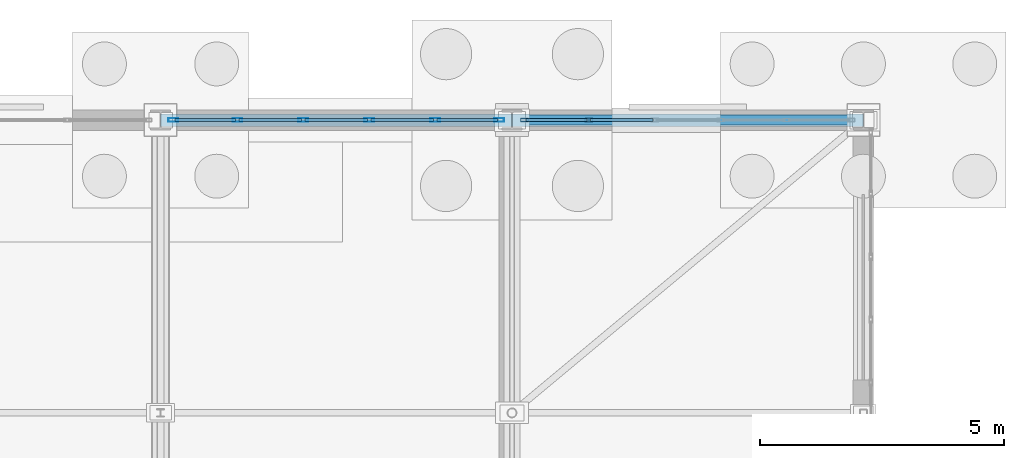
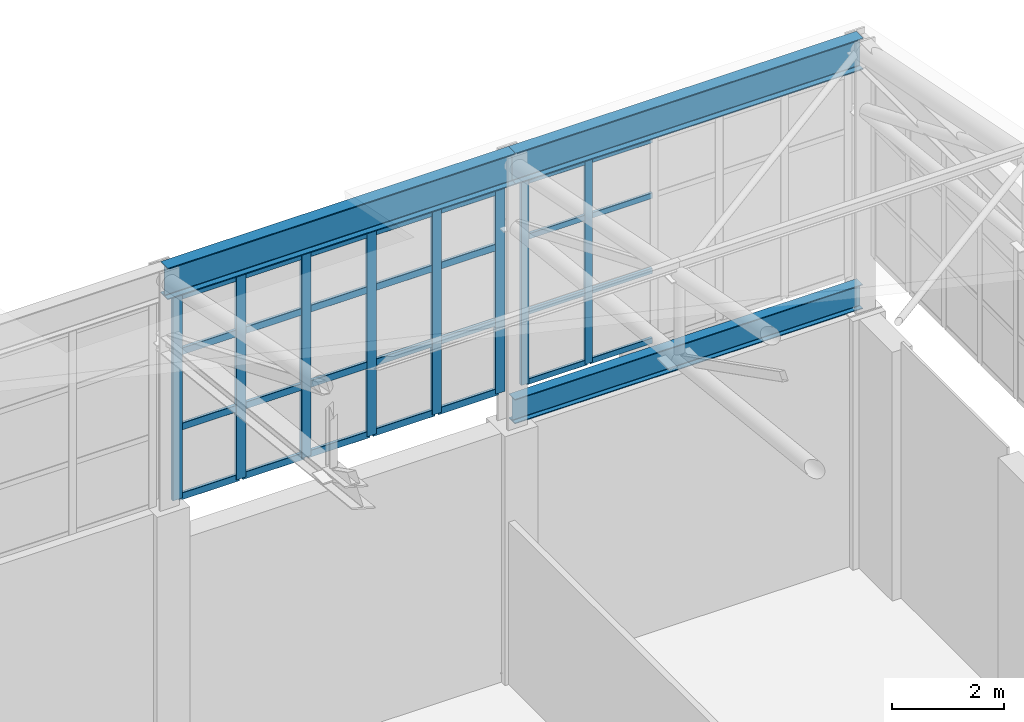
# One storey, part 230 of 293: 36 members, 3 beams, 2 elements without a shape of their own.
"""IFC4 building model written with IfcOpenShell, lengths in metres."""

from ifc_helpers import new_model, si_unit, direction, frame, origin, origin_2d, place, context, subcontext, project, spatial, hollow_rectangle, i_section, extrude, material, layer, layer_set, material_profile, profile_set, type_object, element, aggregate, save


model = new_model("IFC4")

# Units and contexts
model_context = context("Model", 3, precision=1e-05, world=origin(), true_north=direction((0.0, 1.0)))
body_context = subcontext(model_context, "Body", "Model", "MODEL_VIEW")
ifc_project = project(units=[si_unit("LENGTHUNIT", "METRE"), si_unit("AREAUNIT", "SQUARE_METRE"), si_unit("VOLUMEUNIT", "CUBIC_METRE"), si_unit("PLANEANGLEUNIT", "RADIAN"), si_unit("MASSUNIT", "GRAM", prefix="KILO")], contexts=[model_context])

# Site, building, storey
site_placement = place(None, origin())
site = spatial("IfcSite", under=ifc_project, at=site_placement, CompositionType="ELEMENT")
building_placement = place(site_placement, origin())
building = spatial("IfcBuilding", under=site, at=building_placement, Name="Kemerveld Promenade Tramway Depot", CompositionType="ELEMENT")
storey_placement = place(building_placement, origin())
storey = spatial("IfcBuildingStorey", under=building, at=storey_placement, Name="L00", CompositionType="ELEMENT", Elevation=0.0)

# Beams
ifc_material_1 = material(Name="Steel S355", Category="steel")
ifc_material_profile_1 = material_profile(ifc_material_1, i_section(OverallWidth=0.25439453125, OverallDepth=0.6875, WebThickness=0.01318359375, FlangeThickness=0.02099609375, FilletRadius=0.01513671875, at=origin_2d()), Name="686x254x152 UB")
ifc_profile_set_1 = profile_set([ifc_material_profile_1], Name="Steel S355")
beam_type_1 = type_object("IfcBeamType", Name="BM-G03", PredefinedType="BEAM", material=ifc_profile_set_1)
for number, where, z_axis, x_axis, name in (
    (1, (172.800048828125, 144.0, 11.056396484375), (1.0, 0.0, 0.0), (0.0, 1.0, 0.0), "BM-SHED-EAVE-U-25"),
    (2, (180.0, 144.0, 11.056396484375), (1.0, 0.0, 0.0), (0.0, 1.0, 0.0), "BM-SHED-EAVE-U-26"),
):
    element("IfcBeam", number, at=place(storey_placement, frame(where, z_axis=z_axis, x_axis=x_axis)), inside=storey, type_object=beam_type_1, Name=name, PredefinedType="BEAM", context=body_context, shape_type="SweptSolid", body=[
        extrude(i_section(OverallWidth=0.25439453125, OverallDepth=0.6875, WebThickness=0.01318359375, FlangeThickness=0.02099609375, FilletRadius=0.01513671875, at=origin_2d()), origin(), (0.0, 0.0, 1.0), 7.199951171875),
    ])
ifc_material_profile_2 = material_profile(ifc_material_1, i_section(OverallWidth=0.2099609375, OverallDepth=0.53662109375, WebThickness=0.0107421875, FlangeThickness=0.017333984375, FilletRadius=0.0126953125, at=origin_2d()), Name="533x210x101 UB")
ifc_profile_set_2 = profile_set([ifc_material_profile_2], Name="Steel S355")
beam_type_2 = type_object("IfcBeamType", Name="BM-G05", PredefinedType="BEAM", material=ifc_profile_set_2)
beam_placement = place(storey_placement, frame((180.0, 144.0, 5.731689453125), z_axis=(1.0, 0.0, 0.0), x_axis=(0.0, 1.0, 0.0)))
element("IfcBeam", 3, at=beam_placement, inside=storey, type_object=beam_type_2, Name="BM-SHED-MID-U-26", PredefinedType="BEAM", context=body_context, shape_type="SweptSolid", body=[
    extrude(i_section(OverallWidth=0.2099609375, OverallDepth=0.53662109375, WebThickness=0.0107421875, FlangeThickness=0.017333984375, FilletRadius=0.0126953125, at=origin_2d()), origin(), (0.0, 0.0, 1.0), 7.199951171875),
])

# Curtain wall, members
ifc_material_2 = material(Name="Bronze anodised aluminium and solar glass", Category="aluminium")
ifc_layer_1 = layer(ifc_material_2, 0.159912109375)
ifc_layer_set_1 = layer_set([ifc_layer_1], Name="CW-SYS-07")
curtain_wall_type_1 = type_object("IfcCurtainWallType", Name="CW-SYS-07", PredefinedType="USERDEFINED", material=ifc_layer_set_1)
curtain_wall_1_placement = place(storey_placement, origin())
curtain_wall_1 = element("IfcCurtainWall", 4, at=curtain_wall_1_placement, inside=storey, type_object=curtain_wall_type_1, Name="CW-V1-N-21", ObjectType="GLAZED_CURTAIN_WALL", PredefinedType="USERDEFINED")
ifc_material_3 = material(Name="Bronze anodised aluminium", Category="aluminium")
ifc_material_profile_3 = material_profile(ifc_material_3, hollow_rectangle(XDim=0.06494140625, YDim=0.159912109375, WallThickness=0.00390625, InnerFilletRadius=0.001953125, OuterFilletRadius=0.00390625, at=origin_2d()), Name="CW-MUL-160x65")
ifc_profile_set_3 = profile_set([ifc_material_profile_3], Name="Bronze anodised aluminium")
member_type_1 = type_object("IfcMemberType", Name="CW-MUL-A", PredefinedType="MULLION", material=ifc_profile_set_3)
member_1_placement = place(storey_placement, frame((180.255615234375, 144.0, 6.199951171875), z_axis=(0.0, 0.0, 1.0), x_axis=(0.0, 1.0, 0.0)))
member_1 = element("IfcMember", 5, at=member_1_placement, type_object=member_type_1, Name="CW07 mullion 1", PredefinedType="MULLION", context=body_context, shape_type="SweptSolid", body=[
    extrude(hollow_rectangle(XDim=0.06494140625, YDim=0.159912109375, WallThickness=0.00390625, InnerFilletRadius=0.001953125, OuterFilletRadius=0.00390625, at=origin_2d()), origin(), (0.0, 0.0, 1.0), 4.449951171875),
])
member_2_placement = place(storey_placement, frame((181.573974609375, 144.0, 6.199951171875), z_axis=(0.0, 0.0, 1.0), x_axis=(0.0, 1.0, 0.0)))
member_2 = element("IfcMember", 6, at=member_2_placement, type_object=member_type_1, Name="CW07 mullion 2", PredefinedType="MULLION", context=body_context, shape_type="SweptSolid", body=[
    extrude(hollow_rectangle(XDim=0.06494140625, YDim=0.159912109375, WallThickness=0.00390625, InnerFilletRadius=0.001953125, OuterFilletRadius=0.00390625, at=origin_2d()), origin(), (0.0, 0.0, 1.0), 4.449951171875),
])

ifc_layer_2 = layer(ifc_material_2, 0.199951171875)
ifc_layer_set_2 = layer_set([ifc_layer_2], Name="CW-SYS-06")
curtain_wall_type_2 = type_object("IfcCurtainWallType", Name="CW-SYS-06", PredefinedType="USERDEFINED", material=ifc_layer_set_2)
curtain_wall_2_placement = place(storey_placement, origin())
curtain_wall_2 = element("IfcCurtainWall", 7, at=curtain_wall_2_placement, inside=storey, type_object=curtain_wall_type_2, Name="CW-V1-N-20", ObjectType="GLAZED_CURTAIN_WALL", PredefinedType="USERDEFINED")
ifc_material_profile_4 = material_profile(ifc_material_3, hollow_rectangle(XDim=0.074951171875, YDim=0.199951171875, WallThickness=0.0048828125, InnerFilletRadius=0.001953125, OuterFilletRadius=0.0048828125, at=origin_2d()), Name="CW-MUL-200x75")
ifc_profile_set_4 = profile_set([ifc_material_profile_4], Name="Bronze anodised aluminium")
member_type_2 = type_object("IfcMemberType", Name="CW-MUL-B", PredefinedType="MULLION", material=ifc_profile_set_4)
member_3_placement = place(storey_placement, frame((173.060791015625, 144.0, 6.199951171875), z_axis=(0.0, 0.0, 1.0), x_axis=(0.0, 1.0, 0.0)))
member_3 = element("IfcMember", 8, at=member_3_placement, type_object=member_type_2, Name="CW06 mullion 1", PredefinedType="MULLION", context=body_context, shape_type="SweptSolid", body=[
    extrude(hollow_rectangle(XDim=0.074951171875, YDim=0.199951171875, WallThickness=0.0048828125, InnerFilletRadius=0.001953125, OuterFilletRadius=0.0048828125, at=origin_2d()), origin(), (0.0, 0.0, 1.0), 4.449951171875),
])
member_4_placement = place(storey_placement, frame((174.3740234375, 144.0, 6.199951171875), z_axis=(0.0, 0.0, 1.0), x_axis=(0.0, 1.0, 0.0)))
member_4 = element("IfcMember", 9, at=member_4_placement, type_object=member_type_2, Name="CW06 mullion 2", PredefinedType="MULLION", context=body_context, shape_type="SweptSolid", body=[
    extrude(hollow_rectangle(XDim=0.074951171875, YDim=0.199951171875, WallThickness=0.0048828125, InnerFilletRadius=0.001953125, OuterFilletRadius=0.0048828125, at=origin_2d()), origin(), (0.0, 0.0, 1.0), 4.449951171875),
])
member_5_placement = place(storey_placement, frame((175.724609375, 144.0, 6.199951171875), z_axis=(0.0, 0.0, 1.0), x_axis=(0.0, 1.0, 0.0)))
member_5 = element("IfcMember", 10, at=member_5_placement, type_object=member_type_2, Name="CW06 mullion 3", PredefinedType="MULLION", context=body_context, shape_type="SweptSolid", body=[
    extrude(hollow_rectangle(XDim=0.074951171875, YDim=0.199951171875, WallThickness=0.0048828125, InnerFilletRadius=0.001953125, OuterFilletRadius=0.0048828125, at=origin_2d()), origin(), (0.0, 0.0, 1.0), 4.449951171875),
])
member_6_placement = place(storey_placement, frame((177.075439453125, 144.0, 6.199951171875), z_axis=(0.0, 0.0, 1.0), x_axis=(0.0, 1.0, 0.0)))
member_6 = element("IfcMember", 11, at=member_6_placement, type_object=member_type_2, Name="CW06 mullion 4", PredefinedType="MULLION", context=body_context, shape_type="SweptSolid", body=[
    extrude(hollow_rectangle(XDim=0.074951171875, YDim=0.199951171875, WallThickness=0.0048828125, InnerFilletRadius=0.001953125, OuterFilletRadius=0.0048828125, at=origin_2d()), origin(), (0.0, 0.0, 1.0), 4.449951171875),
])
member_7_placement = place(storey_placement, frame((178.426025390625, 144.0, 6.199951171875), z_axis=(0.0, 0.0, 1.0), x_axis=(0.0, 1.0, 0.0)))
member_7 = element("IfcMember", 12, at=member_7_placement, type_object=member_type_2, Name="CW06 mullion 5", PredefinedType="MULLION", context=body_context, shape_type="SweptSolid", body=[
    extrude(hollow_rectangle(XDim=0.074951171875, YDim=0.199951171875, WallThickness=0.0048828125, InnerFilletRadius=0.001953125, OuterFilletRadius=0.0048828125, at=origin_2d()), origin(), (0.0, 0.0, 1.0), 4.449951171875),
])
member_8_placement = place(storey_placement, frame((179.7392578125, 144.0, 6.199951171875), z_axis=(0.0, 0.0, 1.0), x_axis=(0.0, 1.0, 0.0)))
member_8 = element("IfcMember", 13, at=member_8_placement, type_object=member_type_2, Name="CW06 mullion 6", PredefinedType="MULLION", context=body_context, shape_type="SweptSolid", body=[
    extrude(hollow_rectangle(XDim=0.074951171875, YDim=0.199951171875, WallThickness=0.0048828125, InnerFilletRadius=0.001953125, OuterFilletRadius=0.0048828125, at=origin_2d()), origin(), (0.0, 0.0, 1.0), 4.449951171875),
])

# Member
ifc_material_profile_5 = material_profile(ifc_material_3, hollow_rectangle(XDim=0.06005859375, YDim=0.1201171875, WallThickness=0.00390625, InnerFilletRadius=0.001953125, OuterFilletRadius=0.00390625, at=origin_2d()), Name="CW-TRN-120x60")
ifc_profile_set_5 = profile_set([ifc_material_profile_5], Name="Bronze anodised aluminium")
member_type_3 = type_object("IfcMemberType", Name="CW-TRN-A", PredefinedType="USERDEFINED", material=ifc_profile_set_5)
member_9_placement = place(storey_placement, frame((180.2880859375, 144.0, 6.22998046875), z_axis=(1.0, 0.0, 0.0), x_axis=(0.0, 1.0, 0.0)))
member_9 = element("IfcMember", 14, at=member_9_placement, type_object=member_type_3, Name="CW07 transom 1.1", ObjectType="TRANSOM", PredefinedType="USERDEFINED", context=body_context, shape_type="SweptSolid", body=[
    extrude(hollow_rectangle(XDim=0.06005859375, YDim=0.1201171875, WallThickness=0.00390625, InnerFilletRadius=0.001953125, OuterFilletRadius=0.00390625, at=origin_2d()), origin(), (0.0, 0.0, 1.0), 1.25341796875),
])

member_10_placement = place(storey_placement, frame((180.2880859375, 144.0, 7.758056640625), z_axis=(1.0, 0.0, 0.0), x_axis=(0.0, 1.0, 0.0)))
member_10 = element("IfcMember", 15, at=member_10_placement, type_object=member_type_3, Name="CW07 transom 1.2", ObjectType="TRANSOM", PredefinedType="USERDEFINED", context=body_context, shape_type="SweptSolid", body=[
    extrude(hollow_rectangle(XDim=0.06005859375, YDim=0.1201171875, WallThickness=0.00390625, InnerFilletRadius=0.001953125, OuterFilletRadius=0.00390625, at=origin_2d()), origin(), (0.0, 0.0, 1.0), 1.25341796875),
])

member_11_placement = place(storey_placement, frame((180.2880859375, 144.0, 9.404052734375), z_axis=(1.0, 0.0, 0.0), x_axis=(0.0, 1.0, 0.0)))
member_11 = element("IfcMember", 16, at=member_11_placement, type_object=member_type_3, Name="CW07 transom 1.3", ObjectType="TRANSOM", PredefinedType="USERDEFINED", context=body_context, shape_type="SweptSolid", body=[
    extrude(hollow_rectangle(XDim=0.06005859375, YDim=0.1201171875, WallThickness=0.00390625, InnerFilletRadius=0.001953125, OuterFilletRadius=0.00390625, at=origin_2d()), origin(), (0.0, 0.0, 1.0), 1.25341796875),
])

member_12_placement = place(storey_placement, frame((180.2880859375, 144.0, 10.6201171875), z_axis=(1.0, 0.0, 0.0), x_axis=(0.0, 1.0, 0.0)))
member_12 = element("IfcMember", 17, at=member_12_placement, type_object=member_type_3, Name="CW07 transom 1.4", ObjectType="TRANSOM", PredefinedType="USERDEFINED", context=body_context, shape_type="SweptSolid", body=[
    extrude(hollow_rectangle(XDim=0.06005859375, YDim=0.1201171875, WallThickness=0.00390625, InnerFilletRadius=0.001953125, OuterFilletRadius=0.00390625, at=origin_2d()), origin(), (0.0, 0.0, 1.0), 1.25341796875),
])

member_13_placement = place(storey_placement, frame((181.6064453125, 144.0, 6.22998046875), z_axis=(1.0, 0.0, 0.0), x_axis=(0.0, 1.0, 0.0)))
member_13 = element("IfcMember", 18, at=member_13_placement, type_object=member_type_3, Name="CW07 transom 2.1", ObjectType="TRANSOM", PredefinedType="USERDEFINED", context=body_context, shape_type="SweptSolid", body=[
    extrude(hollow_rectangle(XDim=0.06005859375, YDim=0.1201171875, WallThickness=0.00390625, InnerFilletRadius=0.001953125, OuterFilletRadius=0.00390625, at=origin_2d()), origin(), (0.0, 0.0, 1.0), 1.28564453125),
])

member_14_placement = place(storey_placement, frame((181.6064453125, 144.0, 7.758056640625), z_axis=(1.0, 0.0, 0.0), x_axis=(0.0, 1.0, 0.0)))
member_14 = element("IfcMember", 19, at=member_14_placement, type_object=member_type_3, Name="CW07 transom 2.2", ObjectType="TRANSOM", PredefinedType="USERDEFINED", context=body_context, shape_type="SweptSolid", body=[
    extrude(hollow_rectangle(XDim=0.06005859375, YDim=0.1201171875, WallThickness=0.00390625, InnerFilletRadius=0.001953125, OuterFilletRadius=0.00390625, at=origin_2d()), origin(), (0.0, 0.0, 1.0), 1.28564453125),
])

member_15_placement = place(storey_placement, frame((181.6064453125, 144.0, 9.404052734375), z_axis=(1.0, 0.0, 0.0), x_axis=(0.0, 1.0, 0.0)))
member_15 = element("IfcMember", 20, at=member_15_placement, type_object=member_type_3, Name="CW07 transom 2.3", ObjectType="TRANSOM", PredefinedType="USERDEFINED", context=body_context, shape_type="SweptSolid", body=[
    extrude(hollow_rectangle(XDim=0.06005859375, YDim=0.1201171875, WallThickness=0.00390625, InnerFilletRadius=0.001953125, OuterFilletRadius=0.00390625, at=origin_2d()), origin(), (0.0, 0.0, 1.0), 1.28564453125),
])

member_16_placement = place(storey_placement, frame((181.6064453125, 144.0, 10.6201171875), z_axis=(1.0, 0.0, 0.0), x_axis=(0.0, 1.0, 0.0)))
member_16 = element("IfcMember", 21, at=member_16_placement, type_object=member_type_3, Name="CW07 transom 2.4", ObjectType="TRANSOM", PredefinedType="USERDEFINED", context=body_context, shape_type="SweptSolid", body=[
    extrude(hollow_rectangle(XDim=0.06005859375, YDim=0.1201171875, WallThickness=0.00390625, InnerFilletRadius=0.001953125, OuterFilletRadius=0.00390625, at=origin_2d()), origin(), (0.0, 0.0, 1.0), 1.28564453125),
])

aggregate(curtain_wall_1, [member_1, member_2, member_9, member_10, member_11, member_12, member_13, member_14, member_15, member_16])

ifc_material_profile_6 = material_profile(ifc_material_3, hollow_rectangle(XDim=0.06494140625, YDim=0.14990234375, WallThickness=0.00439453125, InnerFilletRadius=0.001953125, OuterFilletRadius=0.00439453125, at=origin_2d()), Name="CW-TRN-150x65")
ifc_profile_set_6 = profile_set([ifc_material_profile_6], Name="Bronze anodised aluminium")
member_type_4 = type_object("IfcMemberType", Name="CW-TRN-B", PredefinedType="USERDEFINED", material=ifc_profile_set_6)
member_17_placement = place(storey_placement, frame((173.09814453125, 144.0, 6.232421875), z_axis=(1.0, 0.0, 0.0), x_axis=(0.0, 1.0, 0.0)))
member_17 = element("IfcMember", 22, at=member_17_placement, type_object=member_type_4, Name="CW06 transom 1.1", ObjectType="TRANSOM", PredefinedType="USERDEFINED", context=body_context, shape_type="SweptSolid", body=[
    extrude(hollow_rectangle(XDim=0.06494140625, YDim=0.14990234375, WallThickness=0.00439453125, InnerFilletRadius=0.001953125, OuterFilletRadius=0.00439453125, at=origin_2d()), origin(), (0.0, 0.0, 1.0), 1.23828125),
])

member_18_placement = place(storey_placement, frame((173.09814453125, 144.0, 7.758056640625), z_axis=(1.0, 0.0, 0.0), x_axis=(0.0, 1.0, 0.0)))
member_18 = element("IfcMember", 23, at=member_18_placement, type_object=member_type_4, Name="CW06 transom 1.2", ObjectType="TRANSOM", PredefinedType="USERDEFINED", context=body_context, shape_type="SweptSolid", body=[
    extrude(hollow_rectangle(XDim=0.06494140625, YDim=0.14990234375, WallThickness=0.00439453125, InnerFilletRadius=0.001953125, OuterFilletRadius=0.00439453125, at=origin_2d()), origin(), (0.0, 0.0, 1.0), 1.23828125),
])

member_19_placement = place(storey_placement, frame((173.09814453125, 144.0, 9.404052734375), z_axis=(1.0, 0.0, 0.0), x_axis=(0.0, 1.0, 0.0)))
member_19 = element("IfcMember", 24, at=member_19_placement, type_object=member_type_4, Name="CW06 transom 1.3", ObjectType="TRANSOM", PredefinedType="USERDEFINED", context=body_context, shape_type="SweptSolid", body=[
    extrude(hollow_rectangle(XDim=0.06494140625, YDim=0.14990234375, WallThickness=0.00439453125, InnerFilletRadius=0.001953125, OuterFilletRadius=0.00439453125, at=origin_2d()), origin(), (0.0, 0.0, 1.0), 1.23828125),
])

member_20_placement = place(storey_placement, frame((173.09814453125, 144.0, 10.617431640625), z_axis=(1.0, 0.0, 0.0), x_axis=(0.0, 1.0, 0.0)))
member_20 = element("IfcMember", 25, at=member_20_placement, type_object=member_type_4, Name="CW06 transom 1.4", ObjectType="TRANSOM", PredefinedType="USERDEFINED", context=body_context, shape_type="SweptSolid", body=[
    extrude(hollow_rectangle(XDim=0.06494140625, YDim=0.14990234375, WallThickness=0.00439453125, InnerFilletRadius=0.001953125, OuterFilletRadius=0.00439453125, at=origin_2d()), origin(), (0.0, 0.0, 1.0), 1.23828125),
])

member_21_placement = place(storey_placement, frame((174.411376953125, 144.0, 6.232421875), z_axis=(1.0, 0.0, 0.0), x_axis=(0.0, 1.0, 0.0)))
member_21 = element("IfcMember", 26, at=member_21_placement, type_object=member_type_4, Name="CW06 transom 2.1", ObjectType="TRANSOM", PredefinedType="USERDEFINED", context=body_context, shape_type="SweptSolid", body=[
    extrude(hollow_rectangle(XDim=0.06494140625, YDim=0.14990234375, WallThickness=0.00439453125, InnerFilletRadius=0.001953125, OuterFilletRadius=0.00439453125, at=origin_2d()), origin(), (0.0, 0.0, 1.0), 1.27587890625),
])

member_22_placement = place(storey_placement, frame((174.411376953125, 144.0, 7.758056640625), z_axis=(1.0, 0.0, 0.0), x_axis=(0.0, 1.0, 0.0)))
member_22 = element("IfcMember", 27, at=member_22_placement, type_object=member_type_4, Name="CW06 transom 2.2", ObjectType="TRANSOM", PredefinedType="USERDEFINED", context=body_context, shape_type="SweptSolid", body=[
    extrude(hollow_rectangle(XDim=0.06494140625, YDim=0.14990234375, WallThickness=0.00439453125, InnerFilletRadius=0.001953125, OuterFilletRadius=0.00439453125, at=origin_2d()), origin(), (0.0, 0.0, 1.0), 1.27587890625),
])

member_23_placement = place(storey_placement, frame((174.411376953125, 144.0, 9.404052734375), z_axis=(1.0, 0.0, 0.0), x_axis=(0.0, 1.0, 0.0)))
member_23 = element("IfcMember", 28, at=member_23_placement, type_object=member_type_4, Name="CW06 transom 2.3", ObjectType="TRANSOM", PredefinedType="USERDEFINED", context=body_context, shape_type="SweptSolid", body=[
    extrude(hollow_rectangle(XDim=0.06494140625, YDim=0.14990234375, WallThickness=0.00439453125, InnerFilletRadius=0.001953125, OuterFilletRadius=0.00439453125, at=origin_2d()), origin(), (0.0, 0.0, 1.0), 1.27587890625),
])

member_24_placement = place(storey_placement, frame((174.411376953125, 144.0, 10.617431640625), z_axis=(1.0, 0.0, 0.0), x_axis=(0.0, 1.0, 0.0)))
member_24 = element("IfcMember", 29, at=member_24_placement, type_object=member_type_4, Name="CW06 transom 2.4", ObjectType="TRANSOM", PredefinedType="USERDEFINED", context=body_context, shape_type="SweptSolid", body=[
    extrude(hollow_rectangle(XDim=0.06494140625, YDim=0.14990234375, WallThickness=0.00439453125, InnerFilletRadius=0.001953125, OuterFilletRadius=0.00439453125, at=origin_2d()), origin(), (0.0, 0.0, 1.0), 1.27587890625),
])

member_25_placement = place(storey_placement, frame((175.76220703125, 144.0, 6.232421875), z_axis=(1.0, 0.0, 0.0), x_axis=(0.0, 1.0, 0.0)))
member_25 = element("IfcMember", 30, at=member_25_placement, type_object=member_type_4, Name="CW06 transom 3.1", ObjectType="TRANSOM", PredefinedType="USERDEFINED", context=body_context, shape_type="SweptSolid", body=[
    extrude(hollow_rectangle(XDim=0.06494140625, YDim=0.14990234375, WallThickness=0.00439453125, InnerFilletRadius=0.001953125, OuterFilletRadius=0.00439453125, at=origin_2d()), origin(), (0.0, 0.0, 1.0), 1.275634765625),
])

member_26_placement = place(storey_placement, frame((175.76220703125, 144.0, 7.758056640625), z_axis=(1.0, 0.0, 0.0), x_axis=(0.0, 1.0, 0.0)))
member_26 = element("IfcMember", 31, at=member_26_placement, type_object=member_type_4, Name="CW06 transom 3.2", ObjectType="TRANSOM", PredefinedType="USERDEFINED", context=body_context, shape_type="SweptSolid", body=[
    extrude(hollow_rectangle(XDim=0.06494140625, YDim=0.14990234375, WallThickness=0.00439453125, InnerFilletRadius=0.001953125, OuterFilletRadius=0.00439453125, at=origin_2d()), origin(), (0.0, 0.0, 1.0), 1.275634765625),
])

member_27_placement = place(storey_placement, frame((175.76220703125, 144.0, 9.404052734375), z_axis=(1.0, 0.0, 0.0), x_axis=(0.0, 1.0, 0.0)))
member_27 = element("IfcMember", 32, at=member_27_placement, type_object=member_type_4, Name="CW06 transom 3.3", ObjectType="TRANSOM", PredefinedType="USERDEFINED", context=body_context, shape_type="SweptSolid", body=[
    extrude(hollow_rectangle(XDim=0.06494140625, YDim=0.14990234375, WallThickness=0.00439453125, InnerFilletRadius=0.001953125, OuterFilletRadius=0.00439453125, at=origin_2d()), origin(), (0.0, 0.0, 1.0), 1.275634765625),
])

member_28_placement = place(storey_placement, frame((175.76220703125, 144.0, 10.617431640625), z_axis=(1.0, 0.0, 0.0), x_axis=(0.0, 1.0, 0.0)))
member_28 = element("IfcMember", 33, at=member_28_placement, type_object=member_type_4, Name="CW06 transom 3.4", ObjectType="TRANSOM", PredefinedType="USERDEFINED", context=body_context, shape_type="SweptSolid", body=[
    extrude(hollow_rectangle(XDim=0.06494140625, YDim=0.14990234375, WallThickness=0.00439453125, InnerFilletRadius=0.001953125, OuterFilletRadius=0.00439453125, at=origin_2d()), origin(), (0.0, 0.0, 1.0), 1.275634765625),
])

member_29_placement = place(storey_placement, frame((177.11279296875, 144.0, 6.232421875), z_axis=(1.0, 0.0, 0.0), x_axis=(0.0, 1.0, 0.0)))
member_29 = element("IfcMember", 34, at=member_29_placement, type_object=member_type_4, Name="CW06 transom 4.1", ObjectType="TRANSOM", PredefinedType="USERDEFINED", context=body_context, shape_type="SweptSolid", body=[
    extrude(hollow_rectangle(XDim=0.06494140625, YDim=0.14990234375, WallThickness=0.00439453125, InnerFilletRadius=0.001953125, OuterFilletRadius=0.00439453125, at=origin_2d()), origin(), (0.0, 0.0, 1.0), 1.27587890625),
])

member_30_placement = place(storey_placement, frame((177.11279296875, 144.0, 7.758056640625), z_axis=(1.0, 0.0, 0.0), x_axis=(0.0, 1.0, 0.0)))
member_30 = element("IfcMember", 35, at=member_30_placement, type_object=member_type_4, Name="CW06 transom 4.2", ObjectType="TRANSOM", PredefinedType="USERDEFINED", context=body_context, shape_type="SweptSolid", body=[
    extrude(hollow_rectangle(XDim=0.06494140625, YDim=0.14990234375, WallThickness=0.00439453125, InnerFilletRadius=0.001953125, OuterFilletRadius=0.00439453125, at=origin_2d()), origin(), (0.0, 0.0, 1.0), 1.27587890625),
])

member_31_placement = place(storey_placement, frame((177.11279296875, 144.0, 9.404052734375), z_axis=(1.0, 0.0, 0.0), x_axis=(0.0, 1.0, 0.0)))
member_31 = element("IfcMember", 36, at=member_31_placement, type_object=member_type_4, Name="CW06 transom 4.3", ObjectType="TRANSOM", PredefinedType="USERDEFINED", context=body_context, shape_type="SweptSolid", body=[
    extrude(hollow_rectangle(XDim=0.06494140625, YDim=0.14990234375, WallThickness=0.00439453125, InnerFilletRadius=0.001953125, OuterFilletRadius=0.00439453125, at=origin_2d()), origin(), (0.0, 0.0, 1.0), 1.27587890625),
])

member_32_placement = place(storey_placement, frame((177.11279296875, 144.0, 10.617431640625), z_axis=(1.0, 0.0, 0.0), x_axis=(0.0, 1.0, 0.0)))
member_32 = element("IfcMember", 37, at=member_32_placement, type_object=member_type_4, Name="CW06 transom 4.4", ObjectType="TRANSOM", PredefinedType="USERDEFINED", context=body_context, shape_type="SweptSolid", body=[
    extrude(hollow_rectangle(XDim=0.06494140625, YDim=0.14990234375, WallThickness=0.00439453125, InnerFilletRadius=0.001953125, OuterFilletRadius=0.00439453125, at=origin_2d()), origin(), (0.0, 0.0, 1.0), 1.27587890625),
])

member_33_placement = place(storey_placement, frame((178.463623046875, 144.0, 6.232421875), z_axis=(1.0, 0.0, 0.0), x_axis=(0.0, 1.0, 0.0)))
member_33 = element("IfcMember", 38, at=member_33_placement, type_object=member_type_4, Name="CW06 transom 5.1", ObjectType="TRANSOM", PredefinedType="USERDEFINED", context=body_context, shape_type="SweptSolid", body=[
    extrude(hollow_rectangle(XDim=0.06494140625, YDim=0.14990234375, WallThickness=0.00439453125, InnerFilletRadius=0.001953125, OuterFilletRadius=0.00439453125, at=origin_2d()), origin(), (0.0, 0.0, 1.0), 1.23828125),
])

member_34_placement = place(storey_placement, frame((178.463623046875, 144.0, 7.758056640625), z_axis=(1.0, 0.0, 0.0), x_axis=(0.0, 1.0, 0.0)))
member_34 = element("IfcMember", 39, at=member_34_placement, type_object=member_type_4, Name="CW06 transom 5.2", ObjectType="TRANSOM", PredefinedType="USERDEFINED", context=body_context, shape_type="SweptSolid", body=[
    extrude(hollow_rectangle(XDim=0.06494140625, YDim=0.14990234375, WallThickness=0.00439453125, InnerFilletRadius=0.001953125, OuterFilletRadius=0.00439453125, at=origin_2d()), origin(), (0.0, 0.0, 1.0), 1.23828125),
])

member_35_placement = place(storey_placement, frame((178.463623046875, 144.0, 9.404052734375), z_axis=(1.0, 0.0, 0.0), x_axis=(0.0, 1.0, 0.0)))
member_35 = element("IfcMember", 40, at=member_35_placement, type_object=member_type_4, Name="CW06 transom 5.3", ObjectType="TRANSOM", PredefinedType="USERDEFINED", context=body_context, shape_type="SweptSolid", body=[
    extrude(hollow_rectangle(XDim=0.06494140625, YDim=0.14990234375, WallThickness=0.00439453125, InnerFilletRadius=0.001953125, OuterFilletRadius=0.00439453125, at=origin_2d()), origin(), (0.0, 0.0, 1.0), 1.23828125),
])

member_36_placement = place(storey_placement, frame((178.463623046875, 144.0, 10.617431640625), z_axis=(1.0, 0.0, 0.0), x_axis=(0.0, 1.0, 0.0)))
member_36 = element("IfcMember", 41, at=member_36_placement, type_object=member_type_4, Name="CW06 transom 5.4", ObjectType="TRANSOM", PredefinedType="USERDEFINED", context=body_context, shape_type="SweptSolid", body=[
    extrude(hollow_rectangle(XDim=0.06494140625, YDim=0.14990234375, WallThickness=0.00439453125, InnerFilletRadius=0.001953125, OuterFilletRadius=0.00439453125, at=origin_2d()), origin(), (0.0, 0.0, 1.0), 1.23828125),
])

aggregate(curtain_wall_2, [member_3, member_4, member_5, member_6, member_7, member_8, member_17, member_18, member_19, member_20, member_21, member_22, member_23, member_24, member_25, member_26, member_27, member_28, member_29, member_30, member_31, member_32, member_33, member_34, member_35, member_36])

save(model, "model.ifc")
